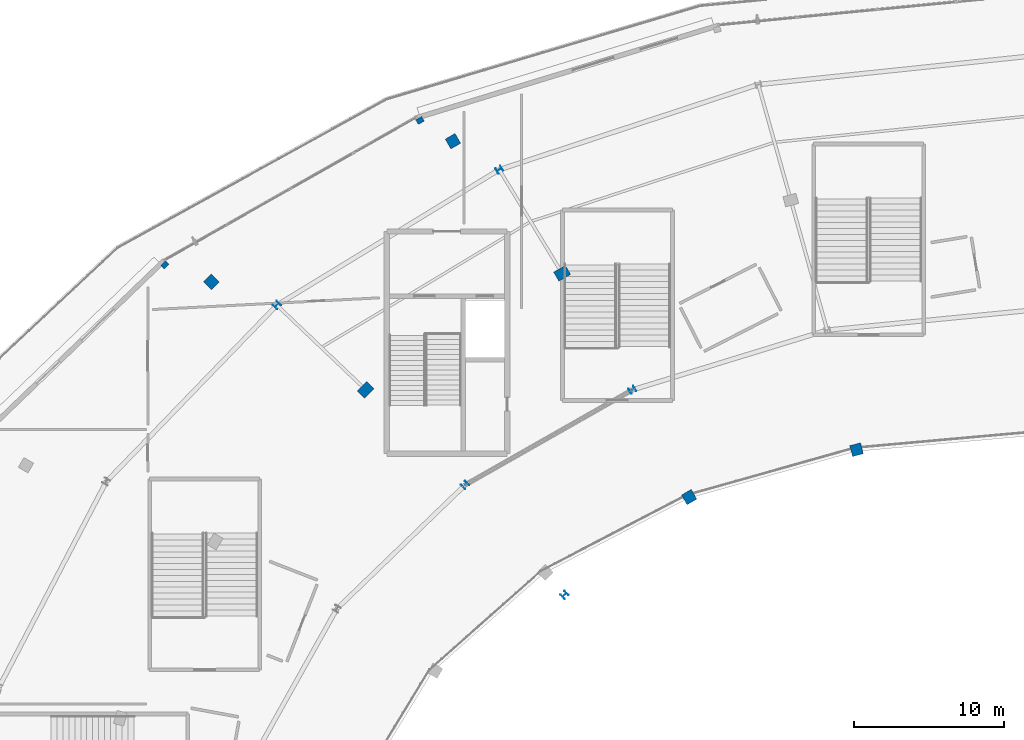
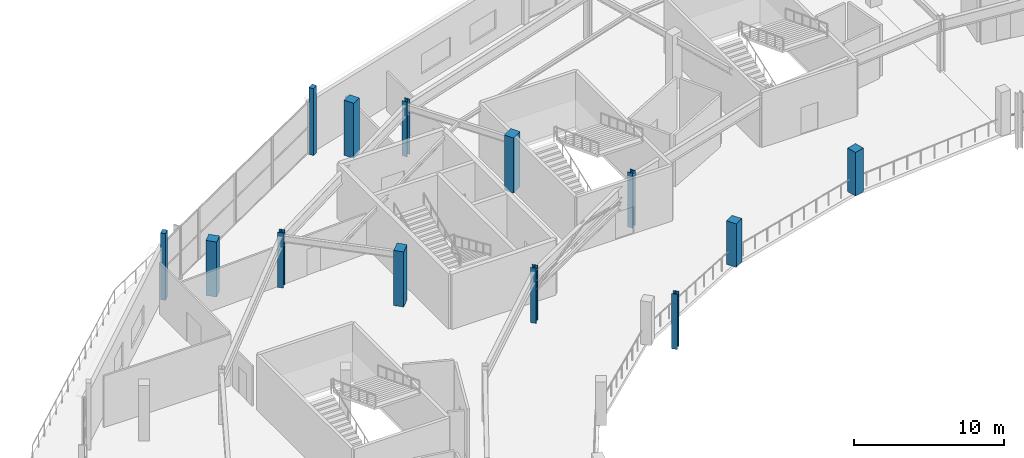
# One storey, part 8 of 123: 13 columns.
"""IFC4 building model written with IfcOpenShell, lengths in metres."""

from ifc_helpers import new_model, si_unit, direction, frame, origin, origin_2d, place, context, subcontext, project, spatial, rectangle, i_section, extrude, material, material_profile, profile_set, type_object, element, save


model = new_model("IFC4")

# Units and contexts
model_context = context("Model", 3, precision=1e-05, world=origin(), true_north=direction((0.0, 1.0)))
body_context = subcontext(model_context, "Body", "Model", "MODEL_VIEW")
ifc_project = project(units=[si_unit("LENGTHUNIT", "METRE"), si_unit("AREAUNIT", "SQUARE_METRE"), si_unit("VOLUMEUNIT", "CUBIC_METRE"), si_unit("PLANEANGLEUNIT", "RADIAN"), si_unit("MASSUNIT", "GRAM", prefix="KILO")], contexts=[model_context])

# Site, building, storey
site_placement = place(None, origin())
site = spatial("IfcSite", under=ifc_project, at=site_placement, CompositionType="ELEMENT")
building_placement = place(site_placement, origin())
building = spatial("IfcBuilding", under=site, at=building_placement, Name="Kalgoora Escarpment Arena", CompositionType="ELEMENT")
storey_placement = place(building_placement, frame((0.0, 0.0, 9.89990234375)))
storey = spatial("IfcBuildingStorey", under=building, at=storey_placement, Name="L02", CompositionType="ELEMENT", Elevation=9.89990234375)

# Columns
ifc_material_1 = material(Name="Structural steel Grade 350 (350 MPa)", Category="steel")
ifc_material_profile_1 = material_profile(ifc_material_1, i_section(OverallWidth=0.39990234375, OverallDepth=0.39990234375, WebThickness=0.01611328125, FlangeThickness=0.028076171875, at=origin_2d()))
ifc_profile_set_1 = profile_set([ifc_material_profile_1], Name="Structural steel Grade 350 (350 MPa)")
column_type_1 = type_object("IfcColumnType", Name="COL-COL-400WC212", PredefinedType="COLUMN", material=ifc_profile_set_1)
for number, where, z_axis, x_axis, name in (
    (1, (56.5, 113.36328125, 0.0), (0.0, 0.0, 1.0), (-0.5, 0.866025403784, 0.0), "L02 structural column COL-RCONC2-R09"),
    (2, (41.629638671875, 104.30517578125, 0.0), (0.0, 0.0, 1.0), (-0.707106781187, 0.707106781187, 0.0), "L02 structural column COL-RCONC2-R10"),
):
    element("IfcColumn", number, at=place(storey_placement, frame(where, z_axis=z_axis, x_axis=x_axis)), inside=storey, type_object=column_type_1, Name=name, PredefinedType="COLUMN", context=body_context, shape_type="SweptSolid", body=[
        extrude(i_section(OverallWidth=0.39990234375, OverallDepth=0.39990234375, WebThickness=0.01611328125, FlangeThickness=0.028076171875, at=origin_2d()), origin(), (0.0, 0.0, 1.0), 4.5),
    ])
ifc_material_2 = material(Name="Structural steel Grade 350 (350 MPa)", Category="steel")
ifc_material_profile_2 = material_profile(ifc_material_2, i_section(OverallWidth=0.39990234375, OverallDepth=0.39990234375, WebThickness=0.01806640625, FlangeThickness=0.031982421875, at=origin_2d()))
ifc_profile_set_2 = profile_set([ifc_material_profile_2], Name="Structural steel Grade 350 (350 MPa)")
column_type_2 = type_object("IfcColumnType", Name="COL-COL-400WC270", PredefinedType="COLUMN", material=ifc_profile_set_2)
for number, where, z_axis, x_axis, name in (
    (3, (65.39990234375, 98.64111328125, 0.0), (0.0, 0.0, 1.0), (-0.5, 0.866025403784, 0.0), "L02 structural column COL-RMAIN-R09"),
    (4, (54.21630859375, 92.2841796875, 0.0), (0.0, 0.0, 1.0), (-0.707106781187, 0.707106781187, 0.0), "L02 structural column COL-RMAIN-R10"),
    (5, (60.863037109375, 84.930419921875, 0.0), (0.0, 0.0, 1.0), (-0.707106781187, 0.707106781187, 0.0), "L02 structural column COL-TSPINE-S04"),
):
    element("IfcColumn", number, at=place(storey_placement, frame(where, z_axis=z_axis, x_axis=x_axis)), inside=storey, type_object=column_type_2, Name=name, PredefinedType="COLUMN", context=body_context, shape_type="SweptSolid", body=[
        extrude(i_section(OverallWidth=0.39990234375, OverallDepth=0.39990234375, WebThickness=0.01806640625, FlangeThickness=0.031982421875, at=origin_2d()), origin(), (0.0, 0.0, 1.0), 4.5),
    ])
ifc_material_3 = material(Name="Concrete N50 (fc' 50 MPa)", Category="concrete")
ifc_material_profile_3 = material_profile(ifc_material_3, rectangle(XDim=0.75, YDim=0.75, at=origin_2d()))
ifc_profile_set_3 = profile_set([ifc_material_profile_3], Name="Concrete N50 (fc' 50 MPa)")
column_type_3 = type_object("IfcColumnType", Name="COL-COL-RC750x750", PredefinedType="COLUMN", material=ifc_profile_set_3)
column_1_placement = place(storey_placement, frame((80.38818359375, 94.63916015625, 0.0), z_axis=(0.0, 0.0, 1.0), x_axis=(-0.258819045103, 0.965925826289, 0.0)))
element("IfcColumn", 6, at=column_1_placement, inside=storey, type_object=column_type_3, Name="L02 structural column COL-RMID-R08", PredefinedType="COLUMN", context=body_context, shape_type="SweptSolid", body=[
    extrude(rectangle(XDim=0.75, YDim=0.75, at=origin_2d()), origin(), (0.0, 0.0, 1.0), 3.553466796875),
])
column_2_placement = place(storey_placement, frame((69.195068359375, 91.47021484375, 0.0), z_axis=(0.0, 0.0, 1.0), x_axis=(-0.5, 0.866025403784, 0.0)))
element("IfcColumn", 7, at=column_2_placement, inside=storey, type_object=column_type_3, Name="L02 structural column COL-RMID-R09", PredefinedType="COLUMN", context=body_context, shape_type="SweptSolid", body=[
    extrude(rectangle(XDim=0.75, YDim=0.75, at=origin_2d()), origin(), (0.0, 0.0, 1.0), 3.5517578125),
])
for number, where, z_axis, x_axis, name in (
    (8, (53.39990234375, 115.268798828125, 0.0), (0.0, 0.0, 1.0), (-0.5, 0.866025403784, 0.0), "L02 structural column COL-RBASE1-R09"),
    (9, (37.24560546875, 105.860595703125, 0.0), (0.0, 0.0, 1.0), (-0.707106781187, 0.707106781187, 0.0), "L02 structural column COL-RBASE1-R10"),
):
    element("IfcColumn", number, at=place(storey_placement, frame(where, z_axis=z_axis, x_axis=x_axis)), inside=storey, type_object=column_type_3, Name=name, PredefinedType="COLUMN", context=body_context, shape_type="SweptSolid", body=[
        extrude(rectangle(XDim=0.75, YDim=0.75, at=origin_2d()), origin(), (0.0, 0.0, 1.0), 4.5),
    ])
ifc_material_4 = material(Name="Concrete N50 (fc' 50 MPa)", Category="concrete")
ifc_material_profile_4 = material_profile(ifc_material_4, rectangle(XDim=0.699951171875, YDim=0.89990234375, at=origin_2d()))
ifc_profile_set_4 = profile_set([ifc_material_profile_4], Name="Concrete N50 (fc' 50 MPa)")
column_type_4 = type_object("IfcColumnType", Name="COL-COL-RC900x700", PredefinedType="COLUMN", material=ifc_profile_set_4)
for number, where, z_axis, x_axis, name in (
    (10, (60.699951171875, 106.435302734375, 0.0), (0.0, 0.0, 1.0), (-0.5, 0.866025403784, 0.0), "L02 structural column COL-RCONC1-R09"),
    (11, (47.5693359375, 98.648193359375, 0.0), (0.0, 0.0, 1.0), (-0.707106781187, 0.707106781187, 0.0), "L02 structural column COL-RCONC1-R10"),
):
    element("IfcColumn", number, at=place(storey_placement, frame(where, z_axis=z_axis, x_axis=x_axis)), inside=storey, type_object=column_type_4, Name=name, PredefinedType="COLUMN", context=body_context, shape_type="SweptSolid", body=[
        extrude(rectangle(XDim=0.699951171875, YDim=0.89990234375, at=origin_2d()), origin(), (0.0, 0.0, 1.0), 4.5),
    ])
ifc_material_5 = material(Name="Precast concrete N50 (fc' 50 MPa)", Category="concrete")
ifc_material_profile_5 = material_profile(ifc_material_5, rectangle(XDim=0.35009765625, YDim=0.449951171875, at=origin_2d()))
ifc_profile_set_5 = profile_set([ifc_material_profile_5], Name="Precast concrete N50 (fc' 50 MPa)")
column_type_5 = type_object("IfcColumnType", Name="COL-PIL-PC-PILASTER-450x350", PredefinedType="PILASTER", material=ifc_profile_set_5)
for number, where, z_axis, x_axis, name in (
    (12, (51.199951171875, 116.654052734375, 0.0), (0.0, 0.0, 1.0), (-0.5, 0.866025403784, 0.0), "L02 fluted pilaster PIL-054"),
    (13, (34.134033203125, 106.991943359375, 0.0), (0.0, 0.0, 1.0), (-0.707106781187, 0.707106781187, 0.0), "L02 fluted pilaster PIL-055"),
):
    element("IfcColumn", number, at=place(storey_placement, frame(where, z_axis=z_axis, x_axis=x_axis)), inside=storey, type_object=column_type_5, Name=name, PredefinedType="PILASTER", context=body_context, shape_type="SweptSolid", body=[
        extrude(rectangle(XDim=0.35009765625, YDim=0.449951171875, at=origin_2d()), origin(), (0.0, 0.0, 1.0), 5.4501953125),
    ])

save(model, "model.ifc")
